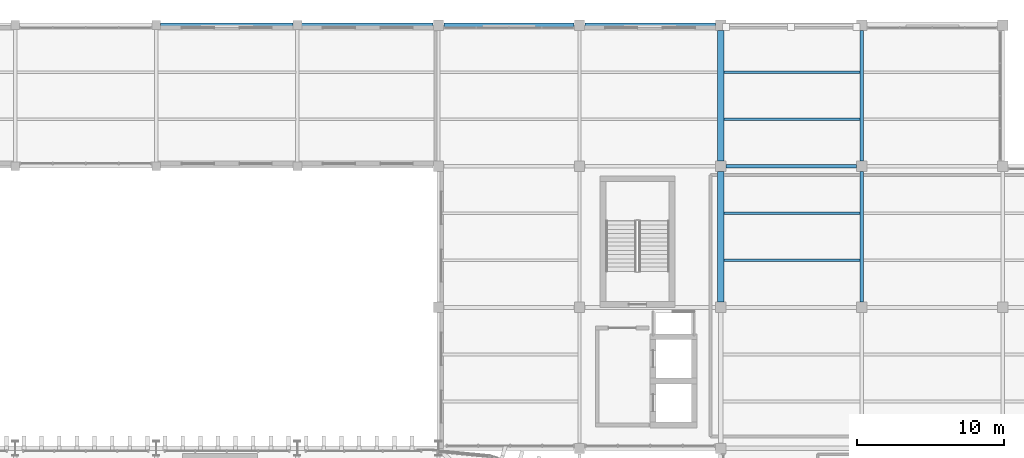
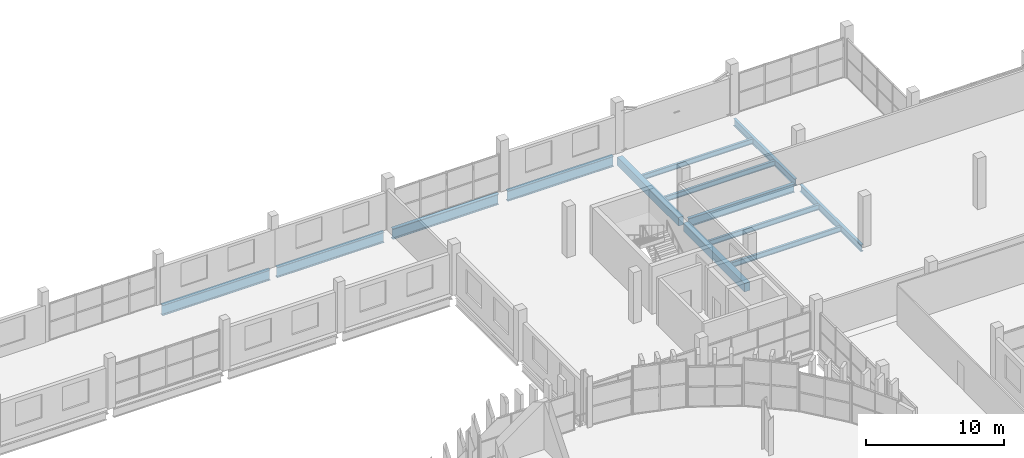
# One storey, part 45 of 92: 13 beams.
"""IFC4 building model written with IfcOpenShell, lengths in metres."""

from ifc_helpers import new_model, si_unit, direction, frame, origin, origin_2d, place, context, subcontext, project, spatial, rectangle, i_section, extrude, material, material_profile, profile_set, type_object, element, save


model = new_model("IFC4")

# Units and contexts
model_context = context("Model", 3, precision=1e-05, world=origin(), true_north=direction((0.0, 1.0)))
body_context = subcontext(model_context, "Body", "Model", "MODEL_VIEW")
ifc_project = project(units=[si_unit("LENGTHUNIT", "METRE"), si_unit("AREAUNIT", "SQUARE_METRE"), si_unit("VOLUMEUNIT", "CUBIC_METRE"), si_unit("PLANEANGLEUNIT", "RADIAN"), si_unit("MASSUNIT", "GRAM", prefix="KILO")], contexts=[model_context])

# Site, building, storey
site_placement = place(None, origin())
site = spatial("IfcSite", under=ifc_project, at=site_placement, CompositionType="ELEMENT")
building_placement = place(site_placement, origin())
building = spatial("IfcBuilding", under=site, at=building_placement, Name="Caelomonte Colonnade Arena", CompositionType="ELEMENT")
storey_placement = place(building_placement, frame((0.0, 0.0, 9.60009765625)))
storey = spatial("IfcBuildingStorey", under=building, at=storey_placement, Name="L02", CompositionType="ELEMENT", Elevation=9.60009765625)

# Beams
ifc_material_1 = material(Name="Wide-flange steel ASTM A992 Grade 50", Category="steel")
ifc_material_profile_1 = material_profile(ifc_material_1, i_section(OverallWidth=0.307861328125, OverallDepth=0.927001953125, WebThickness=0.019287109375, FlangeThickness=0.031982421875, FilletRadius=0.020263671875, at=origin_2d()), Name="W36X194")
ifc_profile_set_1 = profile_set([ifc_material_profile_1], Name="Wide-flange steel ASTM A992 Grade 50")
beam_type_1 = type_object("IfcBeamType", Name="STR-BM-EAVES2", PredefinedType="SPANDREL", material=ifc_profile_set_1)
beam_1_placement = place(storey_placement, frame((125.092041015625, 144.0, -0.74365234375), z_axis=(1.0, 0.0, 0.0), x_axis=(0.0, 1.0, 0.0)))
element("IfcBeam", 1, at=beam_1_placement, inside=storey, type_object=beam_type_1, Name="L02 girder BMX-L02-1248-1440", PredefinedType="SPANDREL", context=body_context, shape_type="SweptSolid", body=[
    extrude(i_section(OverallWidth=0.307861328125, OverallDepth=0.927001953125, WebThickness=0.019287109375, FlangeThickness=0.031982421875, FilletRadius=0.020263671875, at=origin_2d()), origin(), (0.0, 0.0, 1.0), 9.015869140625),
])
beam_2_placement = place(storey_placement, frame((134.69189453125, 144.0, -0.74365234375), z_axis=(1.0, 0.0, 0.0), x_axis=(0.0, 1.0, 0.0)))
element("IfcBeam", 2, at=beam_2_placement, inside=storey, type_object=beam_type_1, Name="L02 girder BMX-L02-1344-1440", PredefinedType="SPANDREL", context=body_context, shape_type="SweptSolid", body=[
    extrude(i_section(OverallWidth=0.307861328125, OverallDepth=0.927001953125, WebThickness=0.019287109375, FlangeThickness=0.031982421875, FilletRadius=0.020263671875, at=origin_2d()), origin(), (0.0, 0.0, 1.0), 8.941162109375),
])
for number, where, z_axis, x_axis, name in (
    (3, (144.366943359375, 144.0, -0.74365234375), (1.0, 0.0, 0.0), (0.0, 1.0, 0.0), "L02 girder BMX-L02-1440-1440"),
    (4, (153.967041015625, 144.0, -0.74365234375), (1.0, 0.0, 0.0), (0.0, 1.0, 0.0), "L02 girder BMX-L02-1536-1440"),
):
    element("IfcBeam", number, at=place(storey_placement, frame(where, z_axis=z_axis, x_axis=x_axis)), inside=storey, type_object=beam_type_1, Name=name, PredefinedType="SPANDREL", context=body_context, shape_type="SweptSolid", body=[
        extrude(i_section(OverallWidth=0.307861328125, OverallDepth=0.927001953125, WebThickness=0.019287109375, FlangeThickness=0.031982421875, FilletRadius=0.020263671875, at=origin_2d()), origin(), (0.0, 0.0, 1.0), 8.865966796875),
    ])
ifc_material_profile_2 = material_profile(ifc_material_1, i_section(OverallWidth=0.228271484375, OverallDepth=0.607177734375, WebThickness=0.01123046875, FlangeThickness=0.017333984375, FilletRadius=0.0126953125, at=origin_2d()), Name="W24X76")
ifc_profile_set_2 = profile_set([ifc_material_profile_2], Name="Wide-flange steel ASTM A992 Grade 50")
beam_type_2 = type_object("IfcBeamType", Name="STR-BM-GIRD24", PredefinedType="BEAM", material=ifc_profile_set_2)
for number, where, z_axis, x_axis, name in (
    (5, (172.800048828125, 125.1669921875, -0.58349609375), (0.0, 1.0, 0.0), (-1.0, 0.0, 0.0), "L02 girder BMY-L02-1728-1248"),
    (6, (172.800048828125, 134.76708984375, -0.58349609375), (0.0, 1.0, 0.0), (-1.0, 0.0, 0.0), "L02 girder BMY-L02-1728-1344"),
):
    element("IfcBeam", number, at=place(storey_placement, frame(where, z_axis=z_axis, x_axis=x_axis)), inside=storey, type_object=beam_type_2, Name=name, PredefinedType="BEAM", context=body_context, shape_type="SweptSolid", body=[
        extrude(i_section(OverallWidth=0.228271484375, OverallDepth=0.607177734375, WebThickness=0.01123046875, FlangeThickness=0.017333984375, FilletRadius=0.0126953125, at=origin_2d()), origin(), (0.0, 0.0, 1.0), 8.865966796875),
    ])
ifc_material_profile_3 = material_profile(ifc_material_1, i_section(OverallWidth=0.2666015625, OverallDepth=0.761962890625, WebThickness=0.014404296875, FlangeThickness=0.021484375, FilletRadius=0.0166015625, at=origin_2d()), Name="W30X116")
ifc_profile_set_3 = profile_set([ifc_material_profile_3], Name="Wide-flange steel ASTM A992 Grade 50")
beam_type_3 = type_object("IfcBeamType", Name="STR-BM-GIRD30", PredefinedType="BEAM", material=ifc_profile_set_3)
beam_3_placement = place(storey_placement, frame((163.56689453125, 134.39990234375, -0.6611328125), z_axis=(1.0, 0.0, 0.0), x_axis=(0.0, 1.0, 0.0)))
element("IfcBeam", 7, at=beam_3_placement, inside=storey, type_object=beam_type_3, Name="L02 girder BMX-L02-1632-1344", PredefinedType="BEAM", context=body_context, shape_type="SweptSolid", body=[
    extrude(i_section(OverallWidth=0.2666015625, OverallDepth=0.761962890625, WebThickness=0.014404296875, FlangeThickness=0.021484375, FilletRadius=0.0166015625, at=origin_2d()), origin(), (0.0, 0.0, 1.0), 8.8662109375),
])
ifc_material_profile_4 = material_profile(ifc_material_1, i_section(OverallWidth=0.1904296875, OverallDepth=0.457275390625, WebThickness=0.009033203125, FlangeThickness=0.014404296875, FilletRadius=0.01025390625, at=origin_2d()), Name="W18X50")
ifc_profile_set_4 = profile_set([ifc_material_profile_4], Name="Wide-flange steel ASTM A992 Grade 50")
beam_type_4 = type_object("IfcBeamType", Name="STR-BM-JOIST18", PredefinedType="JOIST", material=ifc_profile_set_4)
for number, where, z_axis, x_axis, name in (
    (8, (163.419921875, 128.0, -0.5087890625), (1.0, 0.0, 0.0), (0.0, 1.0, 0.0), "L02 secondary joist 1"),
    (9, (163.419921875, 131.199951171875, -0.5087890625), (1.0, 0.0, 0.0), (0.0, 1.0, 0.0), "L02 secondary joist 2"),
    (10, (163.419921875, 137.60009765625, -0.5087890625), (1.0, 0.0, 0.0), (0.0, 1.0, 0.0), "L02 secondary joist 1"),
    (11, (163.419921875, 140.800048828125, -0.5087890625), (1.0, 0.0, 0.0), (0.0, 1.0, 0.0), "L02 secondary joist 2"),
):
    element("IfcBeam", number, at=place(storey_placement, frame(where, z_axis=z_axis, x_axis=x_axis)), inside=storey, type_object=beam_type_4, Name=name, PredefinedType="JOIST", context=body_context, shape_type="SweptSolid", body=[
        extrude(i_section(OverallWidth=0.1904296875, OverallDepth=0.457275390625, WebThickness=0.009033203125, FlangeThickness=0.014404296875, FilletRadius=0.01025390625, at=origin_2d()), origin(), (0.0, 0.0, 1.0), 9.27099609375),
    ])
ifc_material_2 = material(Name="Concrete C40/50", Category="concrete")
ifc_material_profile_5 = material_profile(ifc_material_2, rectangle(XDim=0.449951171875, YDim=0.75, at=origin_2d()), Name="RC450X750")
ifc_profile_set_5 = profile_set([ifc_material_profile_5], Name="Concrete C40/50")
beam_type_5 = type_object("IfcBeamType", Name="STR-BM-SPAN24", PredefinedType="SPANDREL", material=ifc_profile_set_5)
for number, where, z_axis, x_axis, name in (
    (12, (163.199951171875, 125.1669921875, -0.655029296875), (0.0, 1.0, 0.0), (-1.0, 0.0, 0.0), "L02 girder BMY-L02-1632-1248"),
    (13, (163.199951171875, 134.76708984375, -0.655029296875), (0.0, 1.0, 0.0), (-1.0, 0.0, 0.0), "L02 girder BMY-L02-1632-1344"),
):
    element("IfcBeam", number, at=place(storey_placement, frame(where, z_axis=z_axis, x_axis=x_axis)), inside=storey, type_object=beam_type_5, Name=name, PredefinedType="SPANDREL", context=body_context, shape_type="SweptSolid", body=[
        extrude(rectangle(XDim=0.449951171875, YDim=0.75, at=origin_2d()), origin(), (0.0, 0.0, 1.0), 8.865966796875),
    ])

save(model, "model.ifc")
